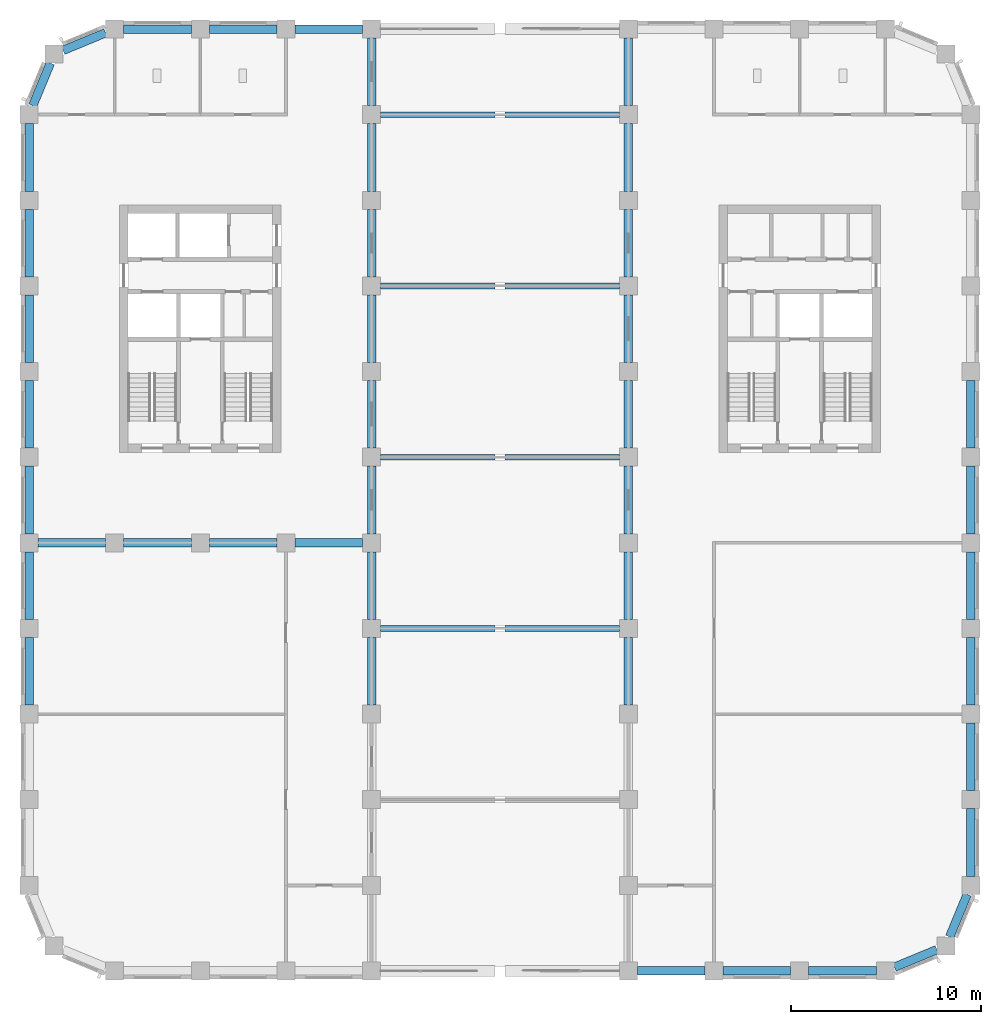
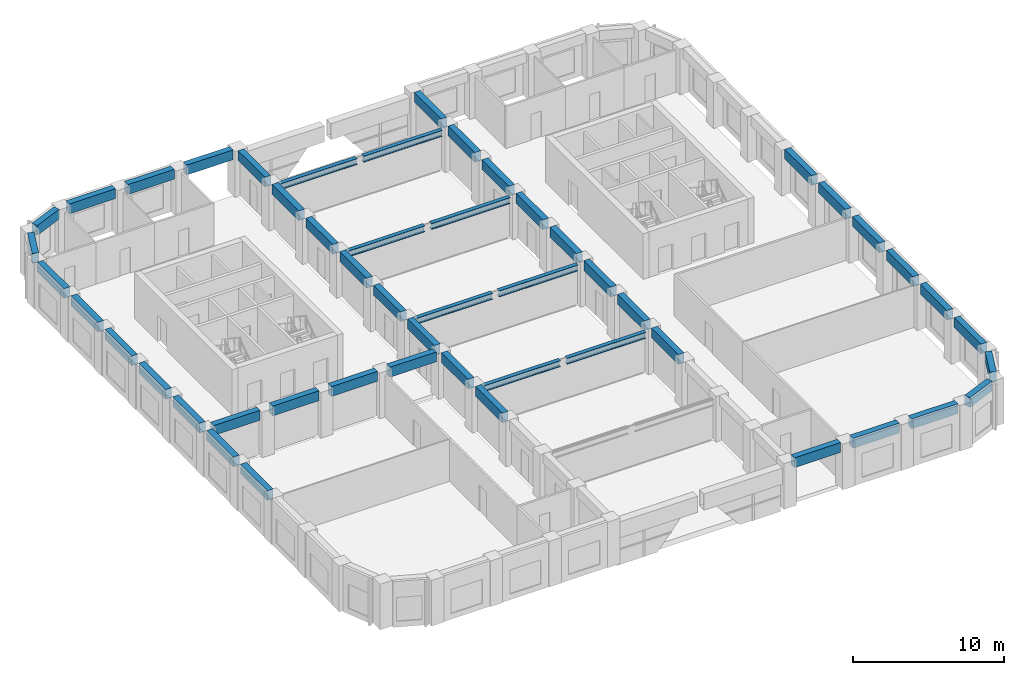
# One storey, part 3 of 14: 43 beams, 8 members.
"""IFC4 building model written with IfcOpenShell, lengths in metres."""

import ifcopenshell
import ifcopenshell.guid

model = None  # the IFC model being written
_history = None  # IfcOwnerHistory: only IFC2X3 demands one
_inside = {}  # id of a spatial element -> (the spatial element, [elements in it])
_under = {}  # id of a project, library or spatial element -> (it, [spatial elements below it])
_declared = {}  # id of a project -> (the project, [libraries it declares])
_typed = {}  # id of a type object -> (the type object, [elements of that type])
_made_of = {}  # id of a material, layer set ... -> (it, [elements and type objects made of it])


def new_model(schema):
    """Start an empty IFC model of exactly this schema.

    Asked for "IFC4X3", IfcOpenShell would pick the latest addendum, in which some entities
    have other attributes; the version numbers below select the first issue.
    IFC2X3 requires an IfcOwnerHistory on every rooted entity: one is made here for all.
    """
    global model, _history
    if schema == "IFC4X3":
        model = ifcopenshell.file(schema_version=(4, 3, 0, 0))
    else:
        model = ifcopenshell.file(schema=schema)
    _inside.clear()
    _under.clear()
    _declared.clear()
    _typed.clear()
    _made_of.clear()
    _history = None
    if model.schema == "IFC2X3":
        org = make("IfcOrganization", Name="unknown")
        user = make(
            "IfcPersonAndOrganization",
            ThePerson=make("IfcPerson", FamilyName="unknown"),
            TheOrganization=org,
        )
        app = make(
            "IfcApplication",
            ApplicationDeveloper=org,
            Version="unknown",
            ApplicationFullName="unknown",
            ApplicationIdentifier="unknown",
        )
        _history = make(
            "IfcOwnerHistory",
            OwningUser=user,
            OwningApplication=app,
            ChangeAction="ADDED",
            CreationDate=0,
        )
    return model


def make(cls, **values):
    """One entity of the class cls with the attributes given. An attribute that is None is left unset."""
    return model.create_entity(
        cls, **{name: value for name, value in values.items() if value is not None}
    )


def rooted(cls, **values):
    """An entity with a GlobalId (a new one), such as an element, a storey or a relation."""
    return make(cls, GlobalId=ifcopenshell.guid.new(), OwnerHistory=_history, **values)


def si_unit(unit_type, name, prefix=None):
    """IfcSIUnit, for example si_unit("LENGTHUNIT", "METRE", prefix="MILLI")."""
    return make("IfcSIUnit", UnitType=unit_type, Prefix=prefix, Name=name)


def assignment(units):
    """IfcUnitAssignment: the units of a project."""
    return None if units is None else make("IfcUnitAssignment", Units=units)


def point(xyz):
    """IfcCartesianPoint."""
    return None if xyz is None else make("IfcCartesianPoint", Coordinates=xyz)


def direction(xyz):
    """IfcDirection."""
    return None if xyz is None else make("IfcDirection", DirectionRatios=xyz)


def frame(location, z_axis=None, x_axis=None):
    """IfcAxis2Placement3D, a coordinate frame: its origin and axes. An axis left out is left unset."""
    return make(
        "IfcAxis2Placement3D",
        Location=point(location),
        Axis=direction(z_axis),
        RefDirection=direction(x_axis),
    )


def frame_2d(location, x_axis=None):
    """IfcAxis2Placement2D, a coordinate frame in the plane: its origin and x axis."""
    return make(
        "IfcAxis2Placement2D", Location=point(location), RefDirection=direction(x_axis)
    )


def origin():
    """The frame at (0, 0, 0) with its axes left unset."""
    return frame((0.0, 0.0, 0.0))


def origin_2d():
    """The frame at (0, 0) in the plane with its x axis left unset."""
    return frame_2d((0.0, 0.0))


def place(relative_to, where):
    """IfcLocalPlacement: puts the frame where relative to a parent placement (None: the world)."""
    return make(
        "IfcLocalPlacement", PlacementRelTo=relative_to, RelativePlacement=where
    )


def context(
    kind, dimensions, precision=None, world=None, true_north=None, identifier=None
):
    """IfcGeometricRepresentationContext, for example the 3D "Model" context."""
    return make(
        "IfcGeometricRepresentationContext",
        ContextIdentifier=identifier,
        ContextType=kind,
        CoordinateSpaceDimension=dimensions,
        Precision=precision,
        WorldCoordinateSystem=world,
        TrueNorth=true_north,
    )


def subcontext(parent, identifier, kind, view, scale=None):
    """IfcGeometricRepresentationSubContext, for example "Body" below "Model"."""
    return make(
        "IfcGeometricRepresentationSubContext",
        ContextIdentifier=identifier,
        ContextType=kind,
        ParentContext=parent,
        TargetScale=scale,
        TargetView=view,
    )


def project(units=None, contexts=None):
    """IfcProject with its units and contexts."""
    return rooted(
        "IfcProject",
        Name="project",
        RepresentationContexts=contexts,
        UnitsInContext=assignment(units),
    )


def spatial(cls, under=None, at=None, **own):
    """A site, building, storey or space (cls), placed at a placement, below another one or the project."""
    s = rooted(cls, ObjectPlacement=at, **own)
    if under is not None:
        _under.setdefault(under.id(), (under, []))[1].append(s)
    return s


def profile(cls, at=None, kind="AREA", **sizes):
    """A parametric profile (cls). Its sizes go by their IFC names, for example OverallWidth=200.0."""
    return make(cls, ProfileType=kind, Position=at, **sizes)


def rectangle(**sizes):
    """IfcRectangleProfileDef."""
    return profile("IfcRectangleProfileDef", **sizes)


def i_section(**sizes):
    """IfcIShapeProfileDef."""
    return profile("IfcIShapeProfileDef", **sizes)


def extrude(swept, where, along, depth):
    """IfcExtrudedAreaSolid: the profile swept, set in the frame where, extruded along a direction by depth."""
    return make(
        "IfcExtrudedAreaSolid",
        SweptArea=swept,
        Position=where,
        ExtrudedDirection=direction(along),
        Depth=depth,
    )


def shape(context_of_items, identifier, shape_type, items):
    """IfcShapeRepresentation: the items that make up one representation, for example the "Body"."""
    return make(
        "IfcShapeRepresentation",
        ContextOfItems=context_of_items,
        RepresentationIdentifier=identifier,
        RepresentationType=shape_type,
        Items=items,
    )


def material(Name=None, Category=None):
    """IfcMaterial."""
    return make("IfcMaterial", Name=Name, Category=Category)


def material_profile(
    of_material, cross_section, Name=None, Category=None, Priority=None
):
    """IfcMaterialProfile: a cross section and its material."""
    return make(
        "IfcMaterialProfile",
        Name=Name,
        Material=of_material,
        Profile=cross_section,
        Priority=Priority,
        Category=Category,
    )


def profile_set(profiles, Name=None, composite=None):
    """IfcMaterialProfileSet."""
    return make(
        "IfcMaterialProfileSet",
        Name=Name,
        MaterialProfiles=profiles,
        CompositeProfile=composite,
    )


def made_of(thing, what):
    """Note that an element or type object is made of a material, layer set ...; save() writes the relation."""
    if what is not None:
        _made_of.setdefault(what.id(), (what, []))[1].append(thing)
    return thing


def type_object(cls, material=None, **own):
    """A type object (cls), such as IfcWallType, which elements share."""
    return made_of(rooted(cls, **own), material)


def element(
    cls,
    number,
    at=None,
    inside=None,
    cuts=None,
    type_object=None,
    material=None,
    context=None,
    identifier="Body",
    shape_type=None,
    held_by="IfcProductDefinitionShape",
    body=None,
    shapes=None,
    **own,
):
    """One element of the class cls, such as IfcWall. Its Tag is "e" and its number.

    at: its placement. inside: the storey or other place that contains it. cuts: it is an
    opening in that element (IfcRelVoidsElement). A single representation is given by context,
    identifier, shape_type and body (its items); several are given by shapes. held_by: the class
    of the entity that holds the representations. save() writes the other relations.
    """
    e = rooted(cls, Tag="e%d" % number, ObjectPlacement=at, **own)
    if body is not None:
        shapes = [shape(context, identifier, shape_type, body)]
    if shapes is not None:
        e.Representation = make(held_by, Representations=shapes)
    if inside is not None:
        _inside.setdefault(inside.id(), (inside, []))[1].append(e)
    if cuts is not None:
        rooted(
            "IfcRelVoidsElement", RelatingBuildingElement=cuts, RelatedOpeningElement=e
        )
    if type_object is not None:
        _typed.setdefault(type_object.id(), (type_object, []))[1].append(e)
    return made_of(e, material)


def aggregate(whole, parts):
    """IfcRelAggregates: a whole, such as a stair, and the parts it consists of."""
    return rooted("IfcRelAggregates", RelatingObject=whole, RelatedObjects=parts)


def save(model, path):
    """Write the relations noted so far, then the file.

    IfcRelAggregates (storeys below a building ...), IfcRelContainedInSpatialStructure (elements
    in a storey), IfcRelDefinesByType, IfcRelAssociatesMaterial and IfcRelDeclares: one each for
    every whole, place, type object, material and project.
    """
    for whole, parts in _under.values():
        aggregate(whole, parts)
    for where, things in _inside.values():
        rooted(
            "IfcRelContainedInSpatialStructure",
            RelatedElements=things,
            RelatingStructure=where,
        )
    for kind, things in _typed.values():
        rooted("IfcRelDefinesByType", RelatedObjects=things, RelatingType=kind)
    for what, things in _made_of.values():
        rooted("IfcRelAssociatesMaterial", RelatedObjects=things, RelatingMaterial=what)
    for by, libraries in _declared.values():
        rooted("IfcRelDeclares", RelatingContext=by, RelatedDefinitions=libraries)
    model.write(path)


model = new_model("IFC4")

# Units and contexts
model_context = context("Model", 3, precision=1e-05, world=origin(), true_north=direction((0.0, 1.0)))
body_context = subcontext(model_context, "Body", "Model", "MODEL_VIEW")
ifc_project = project(units=[si_unit("LENGTHUNIT", "METRE"), si_unit("AREAUNIT", "SQUARE_METRE"), si_unit("VOLUMEUNIT", "CUBIC_METRE"), si_unit("PLANEANGLEUNIT", "RADIAN"), si_unit("MASSUNIT", "GRAM", prefix="KILO")], contexts=[model_context])

# Site, building, storey
site_placement = place(None, origin())
site = spatial("IfcSite", under=ifc_project, at=site_placement, CompositionType="ELEMENT")
building_placement = place(site_placement, origin())
building = spatial("IfcBuilding", under=site, at=building_placement, Name="Girih Gate Residences", CompositionType="ELEMENT")
storey_placement = place(building_placement, frame((0.0, 0.0, 172.60009765625)))
storey = spatial("IfcBuildingStorey", under=building, at=storey_placement, Name="L47", CompositionType="ELEMENT", Elevation=172.60009765625)

# Members
ifc_material_1 = material(Name="Steel S460", Category="steel")
ifc_material_profile_1 = material_profile(ifc_material_1, i_section(OverallWidth=0.300048828125, OverallDepth=0.5, WebThickness=0.014404296875, FlangeThickness=0.028076171875, FilletRadius=0.027099609375, at=origin_2d()))
ifc_profile_set_1 = profile_set([ifc_material_profile_1], Name="Steel S460")
member_type = type_object("IfcMemberType", Name="Bridge truss chord HE 500 B Steel S460", PredefinedType="CHORD", material=ifc_profile_set_1)
for number, where, z_axis, x_axis, name in (
    (1, (18.47509765625, 18.0, 3.0), (1.0, 0.0, 0.0), (0.0, 1.0, 0.0), "Bridge truss chord at 18"),
    (2, (25.0, 18.0, 3.0), (1.0, 0.0, 0.0), (0.0, 1.0, 0.0), "Bridge truss chord at 18"),
    (3, (18.47509765625, 27.0, 3.0), (1.0, 0.0, 0.0), (0.0, 1.0, 0.0), "Bridge truss chord at 27"),
    (4, (25.0, 27.0, 3.0), (1.0, 0.0, 0.0), (0.0, 1.0, 0.0), "Bridge truss chord at 27"),
    (5, (18.47509765625, 36.0, 3.0), (1.0, 0.0, 0.0), (0.0, 1.0, 0.0), "Bridge truss chord at 36"),
    (6, (25.0, 36.0, 3.0), (1.0, 0.0, 0.0), (0.0, 1.0, 0.0), "Bridge truss chord at 36"),
    (7, (18.47509765625, 45.0, 3.0), (1.0, 0.0, 0.0), (0.0, 1.0, 0.0), "Bridge truss chord at 45"),
    (8, (25.0, 45.0, 3.0), (1.0, 0.0, 0.0), (0.0, 1.0, 0.0), "Bridge truss chord at 45"),
):
    element("IfcMember", number, at=place(storey_placement, frame(where, z_axis=z_axis, x_axis=x_axis)), inside=storey, type_object=member_type, Name=name, PredefinedType="CHORD", context=body_context, shape_type="SweptSolid", body=[
        extrude(i_section(OverallWidth=0.300048828125, OverallDepth=0.5, WebThickness=0.014404296875, FlangeThickness=0.028076171875, FilletRadius=0.027099609375, at=origin_2d()), origin(), (0.0, 0.0, 1.0), 6.02490234375),
    ])

# Beams
ifc_material_2 = material(Name="Concrete C60/75", Category="concrete")
ifc_material_profile_2 = material_profile(ifc_material_2, rectangle(XDim=0.449951171875, YDim=0.800048828125, at=origin_2d()))
ifc_profile_set_2 = profile_set([ifc_material_profile_2], Name="Concrete C60/75")
beam_type = type_object("IfcBeamType", Name="Spandrel girder RC 450x800 Concrete C60/75", PredefinedType="BEAM", material=ifc_profile_set_2)
for number, where, z_axis, x_axis, name in (
    (9, (31.97509765625, 0.0, 3.2998046875), (1.0, 0.0, 0.0), (0.0, 1.0, 0.0), "Spandrel girder SP-P8A-P9A L47"),
    (10, (36.47509765625, 0.0, 3.2998046875), (1.0, 0.0, 0.0), (0.0, 1.0, 0.0), "Spandrel girder SP-P9A-P10A L47"),
    (11, (40.97509765625, 0.0, 3.2998046875), (1.0, 0.0, 0.0), (0.0, 1.0, 0.0), "Spandrel girder SP-P10A-P11A L47"),
):
    element("IfcBeam", number, at=place(storey_placement, frame(where, z_axis=z_axis, x_axis=x_axis)), inside=storey, type_object=beam_type, Name=name, PredefinedType="BEAM", context=body_context, shape_type="SweptSolid", body=[
        extrude(rectangle(XDim=0.449951171875, YDim=0.800048828125, at=origin_2d()), origin(), (0.0, 0.0, 1.0), 3.5498046875),
    ])
for number, where, z_axis, x_axis, name in (
    (12, (45.47509765625, 0.19677734375, 3.2998046875), (0.923870256451, 0.382705825988, 0.0), (-0.382705825988, 0.923870256451, 0.0), "Spandrel girder SP-P11A-P12ANW L47"),
    (13, (48.378662109375, 1.79296875, 3.2998046875), (0.382705825988, 0.923870256451, 0.0), (-0.923870256451, 0.382705825988, 0.0), "Spandrel girder SP-P12ANW-P12B L47"),
):
    element("IfcBeam", number, at=place(storey_placement, frame(where, z_axis=z_axis, x_axis=x_axis)), inside=storey, type_object=beam_type, Name=name, PredefinedType="BEAM", context=body_context, shape_type="SweptSolid", body=[
        extrude(rectangle(XDim=0.449951171875, YDim=0.800048828125, at=origin_2d()), origin(), (0.0, 0.0, 1.0), 2.415771484375),
    ])
for number, where, z_axis, x_axis, name in (
    (14, (49.5, 4.97509765625, 3.2998046875), (0.0, 1.0, 0.0), (-1.0, 0.0, 0.0), "Spandrel girder SP-P12B-P12C L47"),
    (15, (49.5, 9.47509765625, 3.2998046875), (0.0, 1.0, 0.0), (-1.0, 0.0, 0.0), "Spandrel girder SP-P12C-P12D L47"),
    (16, (49.5, 13.97509765625, 3.2998046875), (0.0, 1.0, 0.0), (-1.0, 0.0, 0.0), "Spandrel girder SP-P12D-P12E L47"),
    (17, (49.5, 18.47509765625, 3.2998046875), (0.0, 1.0, 0.0), (-1.0, 0.0, 0.0), "Spandrel girder SP-P12E-P12F L47"),
    (18, (49.5, 22.97509765625, 3.2998046875), (0.0, 1.0, 0.0), (-1.0, 0.0, 0.0), "Spandrel girder SP-P12F-P12G L47"),
    (19, (49.5, 27.47509765625, 3.2998046875), (0.0, 1.0, 0.0), (-1.0, 0.0, 0.0), "Spandrel girder SP-P12G-P12H L47"),
    (20, (17.52490234375, 49.5, 3.2998046875), (-1.0, 0.0, 0.0), (0.0, -1.0, 0.0), "Spandrel girder SP-P5L-P4L L47"),
    (21, (13.02490234375, 49.5, 3.2998046875), (-1.0, 0.0, 0.0), (0.0, -1.0, 0.0), "Spandrel girder SP-P4L-P3L L47"),
    (22, (8.52490234375, 49.5, 3.2998046875), (-1.0, 0.0, 0.0), (0.0, -1.0, 0.0), "Spandrel girder SP-P3L-P2L L47"),
):
    element("IfcBeam", number, at=place(storey_placement, frame(where, z_axis=z_axis, x_axis=x_axis)), inside=storey, type_object=beam_type, Name=name, PredefinedType="BEAM", context=body_context, shape_type="SweptSolid", body=[
        extrude(rectangle(XDim=0.449951171875, YDim=0.800048828125, at=origin_2d()), origin(), (0.0, 0.0, 1.0), 3.5498046875),
    ])
for number, where, z_axis, x_axis, name in (
    (23, (4.02490234375, 49.30322265625, 3.2998046875), (-0.923870256451, -0.382705825988, 0.0), (0.382705825988, -0.923870256451, 0.0), "Spandrel girder SP-P2L-P1LSE L47"),
    (24, (1.121337890625, 47.70703125, 3.2998046875), (-0.382705825988, -0.923870256451, 0.0), (0.923870256451, -0.382705825988, 0.0), "Spandrel girder SP-P1LSE-P1K L47"),
):
    element("IfcBeam", number, at=place(storey_placement, frame(where, z_axis=z_axis, x_axis=x_axis)), inside=storey, type_object=beam_type, Name=name, PredefinedType="BEAM", context=body_context, shape_type="SweptSolid", body=[
        extrude(rectangle(XDim=0.449951171875, YDim=0.800048828125, at=origin_2d()), origin(), (0.0, 0.0, 1.0), 2.415771484375),
    ])
for number, where, z_axis, x_axis, name in (
    (25, (0.0, 44.52490234375, 3.2998046875), (0.0, -1.0, 0.0), (1.0, 0.0, 0.0), "Spandrel girder SP-P1K-P1J L47"),
    (26, (0.0, 40.02490234375, 3.2998046875), (0.0, -1.0, 0.0), (1.0, 0.0, 0.0), "Spandrel girder SP-P1J-P1I L47"),
    (27, (0.0, 35.52490234375, 3.2998046875), (0.0, -1.0, 0.0), (1.0, 0.0, 0.0), "Spandrel girder SP-P1I-P1H L47"),
    (28, (0.0, 31.02490234375, 3.2998046875), (0.0, -1.0, 0.0), (1.0, 0.0, 0.0), "Spandrel girder SP-P1H-P1G L47"),
    (29, (0.0, 26.52490234375, 3.2998046875), (0.0, -1.0, 0.0), (1.0, 0.0, 0.0), "Spandrel girder SP-P1G-P1F L47"),
    (30, (0.0, 22.02490234375, 3.2998046875), (0.0, -1.0, 0.0), (1.0, 0.0, 0.0), "Spandrel girder SP-P1F-P1E L47"),
    (31, (0.0, 17.52490234375, 3.2998046875), (0.0, -1.0, 0.0), (1.0, 0.0, 0.0), "Spandrel girder SP-P1E-P1D L47"),
    (32, (18.0, 13.97509765625, 3.2998046875), (0.0, 1.0, 0.0), (-1.0, 0.0, 0.0), "Spandrel girder SP-P5D-P5E L47"),
    (33, (18.0, 18.47509765625, 3.2998046875), (0.0, 1.0, 0.0), (-1.0, 0.0, 0.0), "Spandrel girder SP-P5E-P5F L47"),
    (34, (18.0, 22.97509765625, 3.2998046875), (0.0, 1.0, 0.0), (-1.0, 0.0, 0.0), "Spandrel girder SP-P5F-P5G L47"),
    (35, (18.0, 27.47509765625, 3.2998046875), (0.0, 1.0, 0.0), (-1.0, 0.0, 0.0), "Spandrel girder SP-P5G-P5H L47"),
    (36, (18.0, 31.97509765625, 3.2998046875), (0.0, 1.0, 0.0), (-1.0, 0.0, 0.0), "Spandrel girder SP-P5H-P5I L47"),
    (37, (18.0, 36.47509765625, 3.2998046875), (0.0, 1.0, 0.0), (-1.0, 0.0, 0.0), "Spandrel girder SP-P5I-P5J L47"),
    (38, (18.0, 40.97509765625, 3.2998046875), (0.0, 1.0, 0.0), (-1.0, 0.0, 0.0), "Spandrel girder SP-P5J-P5K L47"),
    (39, (18.0, 45.47509765625, 3.2998046875), (0.0, 1.0, 0.0), (-1.0, 0.0, 0.0), "Spandrel girder SP-P5K-P5L L47"),
    (40, (31.5, 13.97509765625, 3.2998046875), (0.0, 1.0, 0.0), (-1.0, 0.0, 0.0), "Spandrel girder SP-P8D-P8E L47"),
    (41, (31.5, 18.47509765625, 3.2998046875), (0.0, 1.0, 0.0), (-1.0, 0.0, 0.0), "Spandrel girder SP-P8E-P8F L47"),
    (42, (31.5, 22.97509765625, 3.2998046875), (0.0, 1.0, 0.0), (-1.0, 0.0, 0.0), "Spandrel girder SP-P8F-P8G L47"),
    (43, (31.5, 27.47509765625, 3.2998046875), (0.0, 1.0, 0.0), (-1.0, 0.0, 0.0), "Spandrel girder SP-P8G-P8H L47"),
    (44, (31.5, 31.97509765625, 3.2998046875), (0.0, 1.0, 0.0), (-1.0, 0.0, 0.0), "Spandrel girder SP-P8H-P8I L47"),
    (45, (31.5, 36.47509765625, 3.2998046875), (0.0, 1.0, 0.0), (-1.0, 0.0, 0.0), "Spandrel girder SP-P8I-P8J L47"),
    (46, (31.5, 40.97509765625, 3.2998046875), (0.0, 1.0, 0.0), (-1.0, 0.0, 0.0), "Spandrel girder SP-P8J-P8K L47"),
    (47, (31.5, 45.47509765625, 3.2998046875), (0.0, 1.0, 0.0), (-1.0, 0.0, 0.0), "Spandrel girder SP-P8K-P8L L47"),
    (48, (0.47509765625, 22.5, 3.2998046875), (1.0, 0.0, 0.0), (0.0, 1.0, 0.0), "Spandrel girder SP-P1F-P2F L47"),
    (49, (4.97509765625, 22.5, 3.2998046875), (1.0, 0.0, 0.0), (0.0, 1.0, 0.0), "Spandrel girder SP-P2F-P3F L47"),
    (50, (9.47509765625, 22.5, 3.2998046875), (1.0, 0.0, 0.0), (0.0, 1.0, 0.0), "Spandrel girder SP-P3F-P4F L47"),
    (51, (13.97509765625, 22.5, 3.2998046875), (1.0, 0.0, 0.0), (0.0, 1.0, 0.0), "Spandrel girder SP-P4F-P5F L47"),
):
    element("IfcBeam", number, at=place(storey_placement, frame(where, z_axis=z_axis, x_axis=x_axis)), inside=storey, type_object=beam_type, Name=name, PredefinedType="BEAM", context=body_context, shape_type="SweptSolid", body=[
        extrude(rectangle(XDim=0.449951171875, YDim=0.800048828125, at=origin_2d()), origin(), (0.0, 0.0, 1.0), 3.5498046875),
    ])

save(model, "model.ifc")
